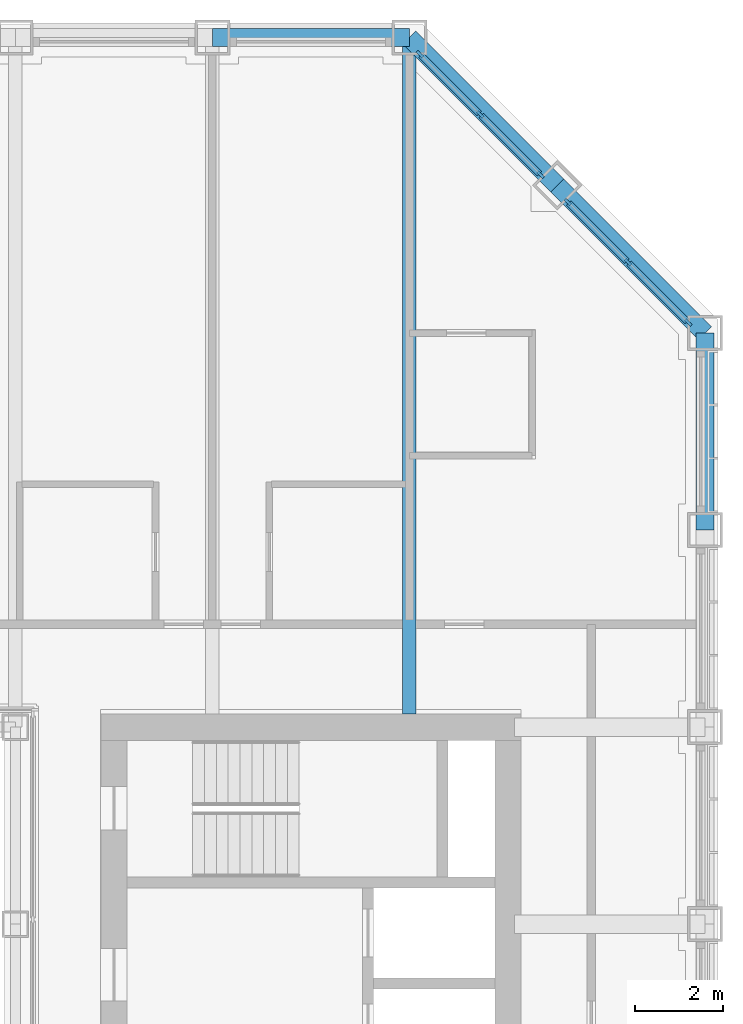
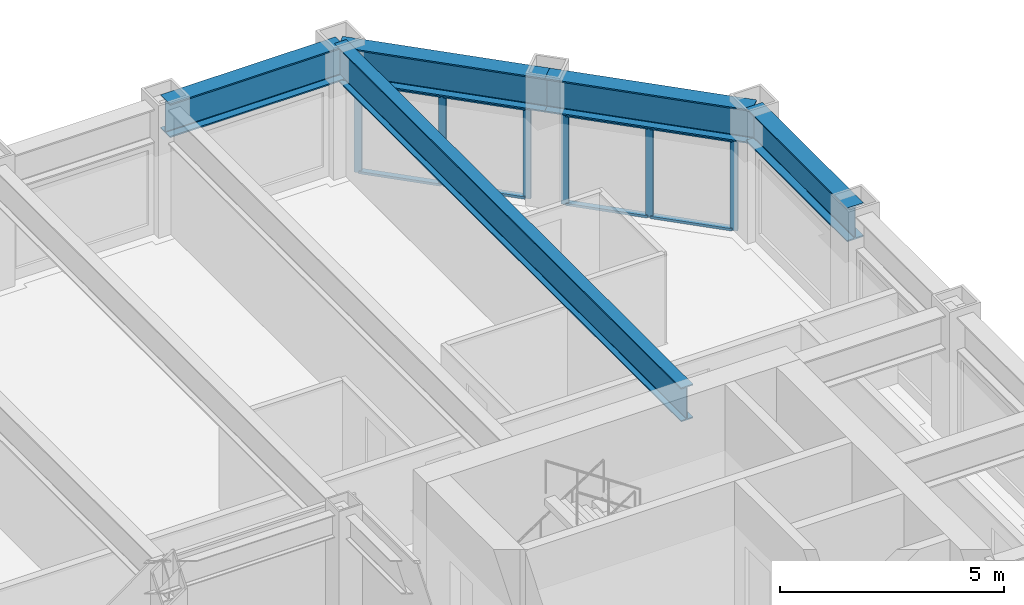
# One storey, part 8 of 17: 14 members, 5 beams, 2 elements without a shape of their own.
"""IFC4 building model written with IfcOpenShell, lengths in metres."""

from ifc_helpers import new_model, si_unit, direction, frame, origin, origin_2d, place, context, subcontext, project, spatial, rectangle, i_section, extrude, material, material_profile, profile_set, type_object, element, aggregate, save


model = new_model("IFC4")

# Units and contexts
model_context = context("Model", 3, precision=1e-05, world=origin(), true_north=direction((0.0, 1.0)))
body_context = subcontext(model_context, "Body", "Model", "MODEL_VIEW")
ifc_project = project(units=[si_unit("LENGTHUNIT", "METRE"), si_unit("AREAUNIT", "SQUARE_METRE"), si_unit("VOLUMEUNIT", "CUBIC_METRE"), si_unit("PLANEANGLEUNIT", "RADIAN"), si_unit("MASSUNIT", "GRAM", prefix="KILO")], contexts=[model_context])

# Site, building, storey
site_placement = place(None, origin())
site = spatial("IfcSite", under=ifc_project, at=site_placement, CompositionType="ELEMENT")
building_placement = place(site_placement, origin())
building = spatial("IfcBuilding", under=site, at=building_placement, Name="Msasa Ring Tower", CompositionType="ELEMENT")
storey_placement = place(building_placement, frame((0.0, 0.0, 129.199951171875)))
storey = spatial("IfcBuildingStorey", under=building, at=storey_placement, Name="L33", CompositionType="ELEMENT", Elevation=129.199951171875)

# Curtain wall, members
ifc_material_1 = material(Name="Aluminium curtain wall with clear glass", Category="aluminium")
curtain_wall_type = type_object("IfcCurtainWallType", Name="CW-C CHAMFER CORNER CURTAIN WALL", PredefinedType="NOTDEFINED", material=ifc_material_1)
curtain_wall_1_placement = place(storey_placement, origin())
curtain_wall_1 = element("IfcCurtainWall", 1, at=curtain_wall_1_placement, inside=storey, type_object=curtain_wall_type, Name="Chamfer corner curtain wall NE L33", PredefinedType="NOTDEFINED")
ifc_material_2 = material(Name="Aluminium mullion", Category="aluminium")
ifc_material_profile_1 = material_profile(ifc_material_2, rectangle(XDim=0.06494140625, YDim=0.179931640625, at=origin_2d()), Name="AL 65x180")
ifc_profile_set_1 = profile_set([ifc_material_profile_1], Name="Aluminium mullion")
member_type_1 = type_object("IfcMemberType", Name="CW-C MULLION 65x180", PredefinedType="MULLION", material=ifc_profile_set_1)
member_1_placement = place(storey_placement, frame((18.744873046875, 19.36376953125, 0.0), z_axis=(0.0, 0.0, 1.0), x_axis=(-0.707106781187, -0.707106781187, 0.0)))
member_1 = element("IfcMember", 2, at=member_1_placement, type_object=member_type_1, Name="CW-C mullion 1", PredefinedType="MULLION", context=body_context, shape_type="SweptSolid", body=[
    extrude(rectangle(XDim=0.06494140625, YDim=0.179931640625, at=origin_2d()), origin(), (0.0, 0.0, 1.0), 2.47900390625),
])
member_2_placement = place(storey_placement, frame((17.36669921875, 20.74169921875, 0.0), z_axis=(0.0, 0.0, 1.0), x_axis=(-0.707106781187, -0.707106781187, 0.0)))
member_2 = element("IfcMember", 3, at=member_2_placement, type_object=member_type_1, Name="CW-C mullion 2", PredefinedType="MULLION", context=body_context, shape_type="SweptSolid", body=[
    extrude(rectangle(XDim=0.06494140625, YDim=0.179931640625, at=origin_2d()), origin(), (0.0, 0.0, 1.0), 2.47900390625),
])
member_3_placement = place(storey_placement, frame((15.98876953125, 22.119873046875, 0.0), z_axis=(0.0, 0.0, 1.0), x_axis=(-0.707106781187, -0.707106781187, 0.0)))
member_3 = element("IfcMember", 4, at=member_3_placement, type_object=member_type_1, Name="CW-C mullion 3", PredefinedType="MULLION", context=body_context, shape_type="SweptSolid", body=[
    extrude(rectangle(XDim=0.06494140625, YDim=0.179931640625, at=origin_2d()), origin(), (0.0, 0.0, 1.0), 2.47900390625),
])

curtain_wall_2_placement = place(storey_placement, origin())
curtain_wall_2 = element("IfcCurtainWall", 5, at=curtain_wall_2_placement, inside=storey, type_object=curtain_wall_type, Name="Chamfer corner curtain wall NE L33", PredefinedType="NOTDEFINED")
member_4_placement = place(storey_placement, frame((22.119873046875, 15.98876953125, 0.0), z_axis=(0.0, 0.0, 1.0), x_axis=(-0.707106781187, -0.707106781187, 0.0)))
member_4 = element("IfcMember", 6, at=member_4_placement, type_object=member_type_1, Name="CW-C mullion 1", PredefinedType="MULLION", context=body_context, shape_type="SweptSolid", body=[
    extrude(rectangle(XDim=0.06494140625, YDim=0.179931640625, at=origin_2d()), origin(), (0.0, 0.0, 1.0), 2.47900390625),
])
member_5_placement = place(storey_placement, frame((20.74169921875, 17.36669921875, 0.0), z_axis=(0.0, 0.0, 1.0), x_axis=(-0.707106781187, -0.707106781187, 0.0)))
member_5 = element("IfcMember", 7, at=member_5_placement, type_object=member_type_1, Name="CW-C mullion 2", PredefinedType="MULLION", context=body_context, shape_type="SweptSolid", body=[
    extrude(rectangle(XDim=0.06494140625, YDim=0.179931640625, at=origin_2d()), origin(), (0.0, 0.0, 1.0), 2.47900390625),
])
member_6_placement = place(storey_placement, frame((19.36376953125, 18.744873046875, 0.0), z_axis=(0.0, 0.0, 1.0), x_axis=(-0.707106781187, -0.707106781187, 0.0)))
member_6 = element("IfcMember", 8, at=member_6_placement, type_object=member_type_1, Name="CW-C mullion 3", PredefinedType="MULLION", context=body_context, shape_type="SweptSolid", body=[
    extrude(rectangle(XDim=0.06494140625, YDim=0.179931640625, at=origin_2d()), origin(), (0.0, 0.0, 1.0), 2.47900390625),
])

# Member
ifc_material_3 = material(Name="Aluminium transom", Category="aluminium")
ifc_material_profile_2 = material_profile(ifc_material_3, rectangle(XDim=0.139892578125, YDim=0.06494140625, at=origin_2d()), Name="AL 65x140")
ifc_profile_set_2 = profile_set([ifc_material_profile_2], Name="Aluminium transom")
member_type_2 = type_object("IfcMemberType", Name="CW-C TRANSOM 65x140", PredefinedType="USERDEFINED", material=ifc_profile_set_2)
member_7_placement = place(storey_placement, frame((18.721923828125, 19.38671875, 0.032470703125), z_axis=(-0.707106781187, 0.707106781187, 0.0), x_axis=(-0.707106781187, -0.707106781187, 0.0)))
member_7 = element("IfcMember", 9, at=member_7_placement, type_object=member_type_2, Name="CW-C transom 1.1", ObjectType="TRANSOM", PredefinedType="USERDEFINED", context=body_context, shape_type="SweptSolid", body=[
    extrude(rectangle(XDim=0.139892578125, YDim=0.06494140625, at=origin_2d()), origin(), (0.0, 0.0, 1.0), 1.8837890625),
])

member_8_placement = place(storey_placement, frame((18.721923828125, 19.38671875, 2.446533203125), z_axis=(-0.707106781187, 0.707106781187, 0.0), x_axis=(-0.707106781187, -0.707106781187, 0.0)))
member_8 = element("IfcMember", 10, at=member_8_placement, type_object=member_type_2, Name="CW-C transom 1.2", ObjectType="TRANSOM", PredefinedType="USERDEFINED", context=body_context, shape_type="SweptSolid", body=[
    extrude(rectangle(XDim=0.139892578125, YDim=0.06494140625, at=origin_2d()), origin(), (0.0, 0.0, 1.0), 1.8837890625),
])

member_9_placement = place(storey_placement, frame((17.34375, 20.764892578125, 0.032470703125), z_axis=(-0.707106781187, 0.707106781187, 0.0), x_axis=(-0.707106781187, -0.707106781187, 0.0)))
member_9 = element("IfcMember", 11, at=member_9_placement, type_object=member_type_2, Name="CW-C transom 2.1", ObjectType="TRANSOM", PredefinedType="USERDEFINED", context=body_context, shape_type="SweptSolid", body=[
    extrude(rectangle(XDim=0.139892578125, YDim=0.06494140625, at=origin_2d()), origin(), (0.0, 0.0, 1.0), 1.8837890625),
])

member_10_placement = place(storey_placement, frame((17.34375, 20.764892578125, 2.446533203125), z_axis=(-0.707106781187, 0.707106781187, 0.0), x_axis=(-0.707106781187, -0.707106781187, 0.0)))
member_10 = element("IfcMember", 12, at=member_10_placement, type_object=member_type_2, Name="CW-C transom 2.2", ObjectType="TRANSOM", PredefinedType="USERDEFINED", context=body_context, shape_type="SweptSolid", body=[
    extrude(rectangle(XDim=0.139892578125, YDim=0.06494140625, at=origin_2d()), origin(), (0.0, 0.0, 1.0), 1.8837890625),
])

aggregate(curtain_wall_1, [member_1, member_2, member_3, member_7, member_8, member_9, member_10])

member_11_placement = place(storey_placement, frame((22.096923828125, 16.01171875, 0.032470703125), z_axis=(-0.707106781187, 0.707106781187, 0.0), x_axis=(-0.707106781187, -0.707106781187, 0.0)))
member_11 = element("IfcMember", 13, at=member_11_placement, type_object=member_type_2, Name="CW-C transom 1.1", ObjectType="TRANSOM", PredefinedType="USERDEFINED", context=body_context, shape_type="SweptSolid", body=[
    extrude(rectangle(XDim=0.139892578125, YDim=0.06494140625, at=origin_2d()), origin(), (0.0, 0.0, 1.0), 1.8837890625),
])

member_12_placement = place(storey_placement, frame((22.096923828125, 16.01171875, 2.446533203125), z_axis=(-0.707106781187, 0.707106781187, 0.0), x_axis=(-0.707106781187, -0.707106781187, 0.0)))
member_12 = element("IfcMember", 14, at=member_12_placement, type_object=member_type_2, Name="CW-C transom 1.2", ObjectType="TRANSOM", PredefinedType="USERDEFINED", context=body_context, shape_type="SweptSolid", body=[
    extrude(rectangle(XDim=0.139892578125, YDim=0.06494140625, at=origin_2d()), origin(), (0.0, 0.0, 1.0), 1.8837890625),
])

member_13_placement = place(storey_placement, frame((20.71875, 17.389892578125, 0.032470703125), z_axis=(-0.707106781187, 0.707106781187, 0.0), x_axis=(-0.707106781187, -0.707106781187, 0.0)))
member_13 = element("IfcMember", 15, at=member_13_placement, type_object=member_type_2, Name="CW-C transom 2.1", ObjectType="TRANSOM", PredefinedType="USERDEFINED", context=body_context, shape_type="SweptSolid", body=[
    extrude(rectangle(XDim=0.139892578125, YDim=0.06494140625, at=origin_2d()), origin(), (0.0, 0.0, 1.0), 1.8837890625),
])

member_14_placement = place(storey_placement, frame((20.71875, 17.389892578125, 2.446533203125), z_axis=(-0.707106781187, 0.707106781187, 0.0), x_axis=(-0.707106781187, -0.707106781187, 0.0)))
member_14 = element("IfcMember", 16, at=member_14_placement, type_object=member_type_2, Name="CW-C transom 2.2", ObjectType="TRANSOM", PredefinedType="USERDEFINED", context=body_context, shape_type="SweptSolid", body=[
    extrude(rectangle(XDim=0.139892578125, YDim=0.06494140625, at=origin_2d()), origin(), (0.0, 0.0, 1.0), 1.8837890625),
])

aggregate(curtain_wall_2, [member_4, member_5, member_6, member_11, member_12, member_13, member_14])

# Beams
ifc_material_4 = material(Name="Steel S355", Category="steel")
ifc_material_profile_3 = material_profile(ifc_material_4, i_section(OverallWidth=0.3076171875, OverallDepth=0.926513671875, WebThickness=0.01953125, FlangeThickness=0.031982421875, FilletRadius=0.01904296875, at=origin_2d()), Name="UB 914x305x289")
ifc_profile_set_3 = profile_set([ifc_material_profile_3], Name="Steel S355")
beam_type_1 = type_object("IfcBeamType", Name="FB3 UB 914x305x289", PredefinedType="BEAM", material=ifc_profile_set_3)
beam_1_placement = place(storey_placement, frame((15.75, 22.5, 2.936767578125), z_axis=(0.0, -1.0, 0.0), x_axis=(1.0, 0.0, 0.0)))
element("IfcBeam", 17, at=beam_1_placement, inside=storey, type_object=beam_type_1, Name="Floor beam N+15.75 under L34", PredefinedType="BEAM", context=body_context, shape_type="SweptSolid", body=[
    extrude(i_section(OverallWidth=0.3076171875, OverallDepth=0.926513671875, WebThickness=0.01953125, FlangeThickness=0.031982421875, FilletRadius=0.01904296875, at=origin_2d()), origin(), (0.0, 0.0, 1.0), 15.449951171875),
])
ifc_material_5 = material(Name="Steel S355", Category="steel")
ifc_material_profile_4 = material_profile(ifc_material_5, i_section(OverallWidth=0.42041015625, OverallDepth=0.9208984375, WebThickness=0.021484375, FlangeThickness=0.03662109375, FilletRadius=0.024169921875, at=origin_2d()), Name="UB 914x419x388")
ifc_profile_set_4 = profile_set([ifc_material_profile_4], Name="Steel S355")
beam_type_2 = type_object("IfcBeamType", Name="SB1 UB 914x419x388", PredefinedType="SPANDREL", material=ifc_profile_set_4)
beam_2_placement = place(storey_placement, frame((22.5, 11.25, 2.939453125), z_axis=(0.0, 1.0, 0.0), x_axis=(-1.0, 0.0, 0.0)))
element("IfcBeam", 18, at=beam_2_placement, inside=storey, type_object=beam_type_2, Name="Spandrel E+11.25 to E+15.75 under L34", PredefinedType="SPANDREL", context=body_context, shape_type="SweptSolid", body=[
    extrude(i_section(OverallWidth=0.42041015625, OverallDepth=0.9208984375, WebThickness=0.021484375, FlangeThickness=0.03662109375, FilletRadius=0.024169921875, at=origin_2d()), origin(), (0.0, 0.0, 1.0), 4.5),
])
for number, where, z_axis, x_axis, name in (
    (19, (22.5, 15.75, 2.939453125), (-0.707106781187, 0.707106781187, 0.0), (-0.707106781187, -0.707106781187, 0.0), "Spandrel E+15.75 to NE under L34"),
    (20, (19.125, 19.125, 2.939453125), (-0.707106781187, 0.707106781187, 0.0), (-0.707106781187, -0.707106781187, 0.0), "Spandrel NE to N+15.75 under L34"),
):
    element("IfcBeam", number, at=place(storey_placement, frame(where, z_axis=z_axis, x_axis=x_axis)), inside=storey, type_object=beam_type_2, Name=name, PredefinedType="SPANDREL", context=body_context, shape_type="SweptSolid", body=[
        extrude(i_section(OverallWidth=0.42041015625, OverallDepth=0.9208984375, WebThickness=0.021484375, FlangeThickness=0.03662109375, FilletRadius=0.024169921875, at=origin_2d()), origin(), (0.0, 0.0, 1.0), 4.77294921875),
    ])
beam_3_placement = place(storey_placement, frame((15.75, 22.5, 2.939453125), z_axis=(-1.0, 0.0, 0.0), x_axis=(0.0, -1.0, 0.0)))
element("IfcBeam", 21, at=beam_3_placement, inside=storey, type_object=beam_type_2, Name="Spandrel N+15.75 to N+11.25 under L34", PredefinedType="SPANDREL", context=body_context, shape_type="SweptSolid", body=[
    extrude(i_section(OverallWidth=0.42041015625, OverallDepth=0.9208984375, WebThickness=0.021484375, FlangeThickness=0.03662109375, FilletRadius=0.024169921875, at=origin_2d()), origin(), (0.0, 0.0, 1.0), 4.5),
])

save(model, "model.ifc")
